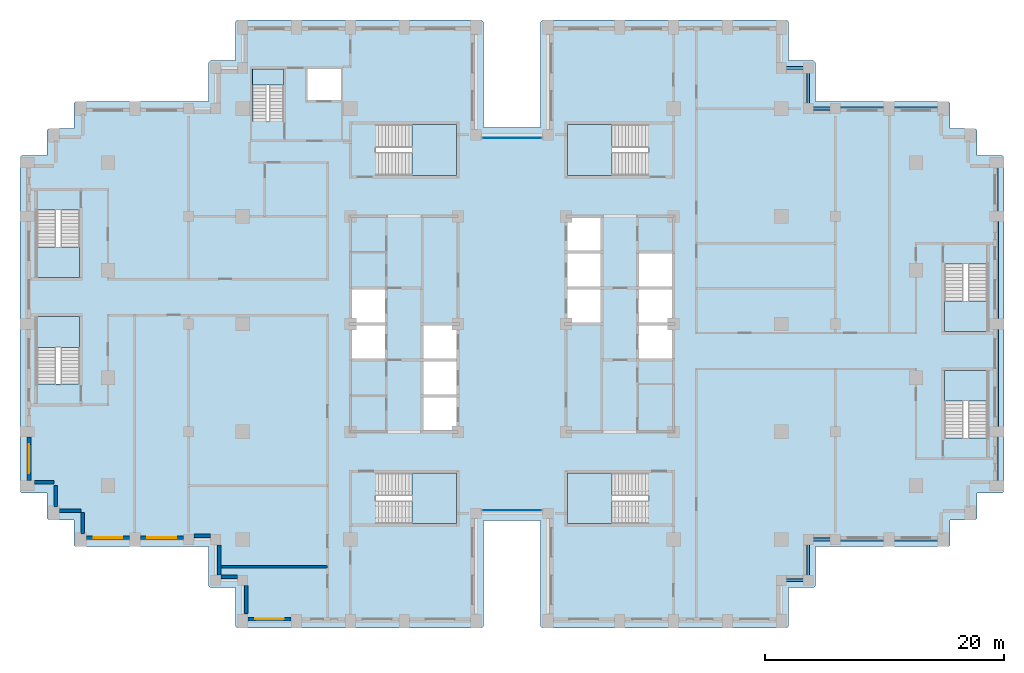
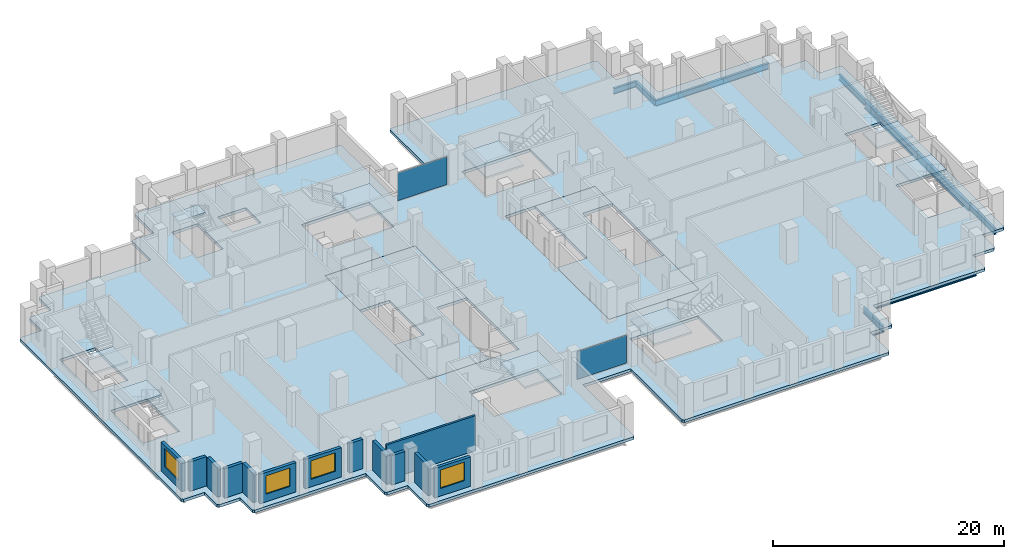
# One storey, part 5 of 15: 14 beams, 13 walls, 12 slabs, 4 windows, 2 plates, 4 openings, 11 elements without a shape of their own.
"""IFC4 building model written with IfcOpenShell, lengths in metres."""

from ifc_helpers import new_model, si_unit, direction, frame, frame_2d, origin, origin_2d, place, context, subcontext, project, spatial, polyline, rectangle, i_section, outline, extrude, material, layer, layer_set, material_profile, profile_set, type_object, element, fill, aggregate, save


model = new_model("IFC4")

# Units and contexts
model_context = context("Model", 3, precision=1e-05, world=origin(), true_north=direction((0.0, 1.0)))
body_context = subcontext(model_context, "Body", "Model", "MODEL_VIEW")
ifc_project = project(units=[si_unit("LENGTHUNIT", "METRE"), si_unit("AREAUNIT", "SQUARE_METRE"), si_unit("VOLUMEUNIT", "CUBIC_METRE"), si_unit("PLANEANGLEUNIT", "RADIAN"), si_unit("MASSUNIT", "GRAM", prefix="KILO")], contexts=[model_context])

# Site, building, storey
site_placement = place(None, origin())
site = spatial("IfcSite", under=ifc_project, at=site_placement, CompositionType="ELEMENT")
building_placement = place(site_placement, origin())
building = spatial("IfcBuilding", under=site, at=building_placement, Name="Corbelhall Arena Tower", CompositionType="ELEMENT")
storey_placement = place(building_placement, frame((0.0, 0.0, 88.0)))
storey = spatial("IfcBuildingStorey", under=building, at=storey_placement, Name="L14", CompositionType="ELEMENT", Elevation=88.0)

# Beams
ifc_material_1 = material(Name="Steel ASTM A992 Gr50", Category="steel")
ifc_material_profile_1 = material_profile(ifc_material_1, i_section(OverallWidth=0.23046875, OverallDepth=0.6171875, WebThickness=0.01318359375, FlangeThickness=0.022216796875, at=origin_2d()))
ifc_profile_set_1 = profile_set([ifc_material_profile_1], Name="Steel ASTM A992 Gr50")
beam_type_1 = type_object("IfcBeamType", Name="ST-SPANDREL-W24x94", PredefinedType="SPANDREL", material=ifc_profile_set_1)
for number, where, z_axis, x_axis, name in (
    (1, (40.5, 13.5, -0.608642578125), (0.0, -1.0, 0.0), (1.0, 0.0, 0.0), "Beam SP 10"),
    (2, (40.5, -9.0, -0.608642578125), (0.0, -1.0, 0.0), (1.0, 0.0, 0.0), "Beam SP 11"),
    (3, (31.5, 18.0, -0.608642578125), (1.0, 0.0, 0.0), (0.0, 1.0, 0.0), "Beam SP 12"),
    (4, (31.5, -18.0, -0.608642578125), (-1.0, 0.0, 0.0), (0.0, -1.0, 0.0), "Beam SP 13"),
    (5, (36.0, -18.0, -0.608642578125), (-1.0, 0.0, 0.0), (0.0, -1.0, 0.0), "Beam SP 14"),
    (6, (27.0, 18.0, -0.608642578125), (1.0, 0.0, 0.0), (0.0, 1.0, 0.0), "Beam SP 15"),
):
    element("IfcBeam", number, at=place(storey_placement, frame(where, z_axis=z_axis, x_axis=x_axis)), inside=storey, type_object=beam_type_1, Name=name, PredefinedType="SPANDREL", context=body_context, shape_type="SweptSolid", body=[
        extrude(i_section(OverallWidth=0.23046875, OverallDepth=0.6171875, WebThickness=0.01318359375, FlangeThickness=0.022216796875, at=origin_2d()), origin(), (0.0, 0.0, 1.0), 4.5),
    ])
for number, where, z_axis, x_axis, name in (
    (7, (27.0, -18.0, -0.608642578125), (-1.0, 0.0, 0.0), (0.0, -1.0, 0.0), "Beam SP 16"),
    (8, (22.5, 21.39990234375, -0.608642578125), (1.0, 0.0, 0.0), (0.0, 1.0, 0.0), "Beam SP 43"),
):
    element("IfcBeam", number, at=place(storey_placement, frame(where, z_axis=z_axis, x_axis=x_axis)), inside=storey, type_object=beam_type_1, Name=name, PredefinedType="SPANDREL", context=body_context, shape_type="SweptSolid", body=[
        extrude(i_section(OverallWidth=0.23046875, OverallDepth=0.6171875, WebThickness=0.01318359375, FlangeThickness=0.022216796875, at=origin_2d()), origin(), (0.0, 0.0, 1.0), 2.25),
    ])
beam_1_placement = place(storey_placement, frame((24.75, 21.39990234375, -0.608642578125), z_axis=(0.0, -1.0, 0.0), x_axis=(1.0, 0.0, 0.0)))
element("IfcBeam", 9, at=beam_1_placement, inside=storey, type_object=beam_type_1, Name="Beam SP 44", PredefinedType="SPANDREL", context=body_context, shape_type="SweptSolid", body=[
    extrude(i_section(OverallWidth=0.23046875, OverallDepth=0.6171875, WebThickness=0.01318359375, FlangeThickness=0.022216796875, at=origin_2d()), origin(), (0.0, 0.0, 1.0), 3.39990234375),
])
for number, where, z_axis, x_axis, name in (
    (10, (24.75, 18.0, -0.608642578125), (1.0, 0.0, 0.0), (0.0, 1.0, 0.0), "Beam SP 45"),
    (11, (24.75, -21.39990234375, -0.608642578125), (-1.0, 0.0, 0.0), (0.0, -1.0, 0.0), "Beam SP 50"),
):
    element("IfcBeam", number, at=place(storey_placement, frame(where, z_axis=z_axis, x_axis=x_axis)), inside=storey, type_object=beam_type_1, Name=name, PredefinedType="SPANDREL", context=body_context, shape_type="SweptSolid", body=[
        extrude(i_section(OverallWidth=0.23046875, OverallDepth=0.6171875, WebThickness=0.01318359375, FlangeThickness=0.022216796875, at=origin_2d()), origin(), (0.0, 0.0, 1.0), 2.25),
    ])
beam_2_placement = place(storey_placement, frame((24.75, -18.0, -0.608642578125), z_axis=(0.0, -1.0, 0.0), x_axis=(1.0, 0.0, 0.0)))
element("IfcBeam", 12, at=beam_2_placement, inside=storey, type_object=beam_type_1, Name="Beam SP 51", PredefinedType="SPANDREL", context=body_context, shape_type="SweptSolid", body=[
    extrude(i_section(OverallWidth=0.23046875, OverallDepth=0.6171875, WebThickness=0.01318359375, FlangeThickness=0.022216796875, at=origin_2d()), origin(), (0.0, 0.0, 1.0), 3.39990234375),
])
ifc_material_profile_2 = material_profile(ifc_material_1, i_section(OverallWidth=0.2919921875, OverallDepth=0.845703125, WebThickness=0.015380859375, FlangeThickness=0.0244140625, at=origin_2d()))
ifc_profile_set_2 = profile_set([ifc_material_profile_2], Name="Steel ASTM A992 Gr50")
beam_type_2 = type_object("IfcBeamType", Name="ST-SPANDREL-W33x141", PredefinedType="SPANDREL", material=ifc_profile_set_2)
for number, where, z_axis, x_axis, name in (
    (13, (40.5, 0.0, -0.722900390625), (0.0, -1.0, 0.0), (1.0, 0.0, 0.0), "Beam SP 8"),
    (14, (40.5, 9.0, -0.722900390625), (0.0, -1.0, 0.0), (1.0, 0.0, 0.0), "Beam SP 9"),
):
    element("IfcBeam", number, at=place(storey_placement, frame(where, z_axis=z_axis, x_axis=x_axis)), inside=storey, type_object=beam_type_2, Name=name, PredefinedType="SPANDREL", context=body_context, shape_type="SweptSolid", body=[
        extrude(i_section(OverallWidth=0.2919921875, OverallDepth=0.845703125, WebThickness=0.015380859375, FlangeThickness=0.0244140625, at=origin_2d()), origin(), (0.0, 0.0, 1.0), 9.0),
    ])

# Curtain wall, plate
ifc_material_2 = material(Name="Aluminium black anodised", Category="aluminium")
ifc_layer_1 = layer(ifc_material_2, 0.199951171875)
ifc_layer_set_1 = layer_set([ifc_layer_1], Name="EV-CW1 Slot back wall")
curtain_wall_type = type_object("IfcCurtainWallType", Name="EV-CW1 Slot back wall", PredefinedType="NOTDEFINED", material=ifc_layer_set_1)
curtain_wall_1_placement = place(storey_placement, origin())
curtain_wall_1 = element("IfcCurtainWall", 15, at=curtain_wall_1_placement, inside=storey, type_object=curtain_wall_type, Name="Curtain wall CW1", PredefinedType="NOTDEFINED")
ifc_material_3 = material(Name="Glass dark tinted laminated", Category="glass")
ifc_layer_2 = layer(ifc_material_3, 0.028076171875)
ifc_layer_set_2 = layer_set([ifc_layer_2], Name="EV-CW1-PANEL")
plate_type = type_object("IfcPlateType", Name="EV-CW1-PANEL", PredefinedType="CURTAIN_PANEL", material=ifc_layer_set_2)
plate_1_placement = place(storey_placement, frame((0.0, -15.550048828125, 0.0751953125), z_axis=(0.0, 0.0, 1.0), x_axis=(1.0, 0.0, 0.0)))
plate_1 = element("IfcPlate", 16, at=plate_1_placement, type_object=plate_type, Name="CW1 panel 1.1", PredefinedType="CURTAIN_PANEL", context=body_context, shape_type="SweptSolid", body=[
    extrude(rectangle(XDim=4.949951171875, YDim=0.028076171875, at=origin_2d()), origin(), (0.0, 0.0, 1.0), 2.949951171875),
])
aggregate(curtain_wall_1, [plate_1])

curtain_wall_2_placement = place(storey_placement, origin())
curtain_wall_2 = element("IfcCurtainWall", 17, at=curtain_wall_2_placement, inside=storey, type_object=curtain_wall_type, Name="Curtain wall CW1", PredefinedType="NOTDEFINED")
plate_2_placement = place(storey_placement, frame((0.0, 15.550048828125, 0.0751953125), z_axis=(0.0, 0.0, 1.0), x_axis=(-1.0, 0.0, 0.0)))
plate_2 = element("IfcPlate", 18, at=plate_2_placement, type_object=plate_type, Name="CW1 panel 1.1", PredefinedType="CURTAIN_PANEL", context=body_context, shape_type="SweptSolid", body=[
    extrude(rectangle(XDim=4.949951171875, YDim=0.028076171875, at=origin_2d()), origin(), (0.0, 0.0, 1.0), 2.949951171875),
])
aggregate(curtain_wall_2, [plate_2])

# Slabs
ifc_material_4 = material(Name="Concrete C40/50", Category="concrete")
ifc_layer_3 = layer(ifc_material_4, 0.300048828125)
ifc_layer_set_3 = layer_set([ifc_layer_3], Name="IN-SL-CORE")
slab_type_1 = type_object("IfcSlabType", Name="IN-SL-CORE", PredefinedType="FLOOR", material=ifc_layer_set_3)
slab_1_placement = place(storey_placement, frame((0.0, 0.0, -0.300048828125)))
element("IfcSlab", 19, at=slab_1_placement, inside=storey, type_object=slab_type_1, Name="Core floor W", PredefinedType="FLOOR", context=body_context, shape_type="SweptSolid", body=[
    extrude(outline(polyline([(-7.5, 0.0), (-4.5, 0.0), (-4.5, 9.0), (-13.5, 9.0), (-13.5, 3.0), (-10.5, 3.0), (-10.5, 0.0), (-10.5, -3.0), (-13.5, -3.0), (-13.5, -9.0), (-7.5, -9.0), (-7.5, -6.0), (-7.5, -3.0), (-7.5, 0.0)])), origin(), (0.0, 0.0, 1.0), 0.300048828125),
])
slab_2_placement = place(storey_placement, frame((0.0, 0.0, -0.300048828125)))
element("IfcSlab", 20, at=slab_2_placement, inside=storey, type_object=slab_type_1, Name="Core floor E", PredefinedType="FLOOR", context=body_context, shape_type="SweptSolid", body=[
    extrude(outline(polyline([(7.5, 0.0), (4.5, 0.0), (4.5, -9.0), (13.5, -9.0), (13.5, -3.0), (10.5, -3.0), (10.5, 0.0), (10.5, 3.0), (10.5, 6.0), (13.5, 6.0), (13.5, 9.0), (7.5, 9.0), (7.5, 6.0), (7.5, 3.0), (7.5, 0.0)])), origin(), (0.0, 0.0, 1.0), 0.300048828125),
])

# Stair, slab
stair_type = type_object("IfcStairType", Name="IN-ST-TOWER", PredefinedType="HALF_TURN_STAIR", material=ifc_material_4)
stair_1_placement = place(storey_placement, origin())
stair_1 = element("IfcStair", 21, at=stair_1_placement, inside=storey, type_object=stair_type, Name="L14 Exit stair ST1", PredefinedType="HALF_TURN_STAIR")
ifc_layer_4 = layer(ifc_material_4, 0.199951171875)
ifc_layer_set_4 = layer_set([ifc_layer_4], Name="IN-SL-LANDING")
slab_type_2 = type_object("IfcSlabType", Name="IN-SL-LANDING", PredefinedType="LANDING", material=ifc_layer_set_4)
slab_3_placement = place(storey_placement, frame((0.0, 0.0, 1.800048828125)))
slab_3 = element("IfcSlab", 22, at=slab_3_placement, type_object=slab_type_2, Name="ST1 landing 1", PredefinedType="LANDING", context=body_context, shape_type="SweptSolid", body=[
    extrude(outline(polyline([(-8.344970703125, 12.425048828125), (-4.625, 12.425048828125), (-4.625, 16.675048828125), (-8.344970703125, 16.675048828125), (-8.344970703125, 12.425048828125)])), origin(), (0.0, 0.0, 1.0), 0.199951171875),
])
aggregate(stair_1, [slab_3])

stair_2_placement = place(storey_placement, origin())
stair_2 = element("IfcStair", 23, at=stair_2_placement, inside=storey, type_object=stair_type, Name="L14 Exit stair ST2", PredefinedType="HALF_TURN_STAIR")
slab_4_placement = place(storey_placement, frame((0.0, 0.0, 1.800048828125)))
slab_4 = element("IfcSlab", 24, at=slab_4_placement, type_object=slab_type_2, Name="ST2 landing 1", PredefinedType="LANDING", context=body_context, shape_type="SweptSolid", body=[
    extrude(outline(polyline([(-8.344970703125, -16.675048828125), (-4.625, -16.675048828125), (-4.625, -12.425048828125), (-8.344970703125, -12.425048828125), (-8.344970703125, -16.675048828125)])), origin(), (0.0, 0.0, 1.0), 0.199951171875),
])
aggregate(stair_2, [slab_4])

stair_3_placement = place(storey_placement, origin())
stair_3 = element("IfcStair", 25, at=stair_3_placement, inside=storey, type_object=stair_type, Name="L14 Exit stair ST3", PredefinedType="HALF_TURN_STAIR")
slab_5_placement = place(storey_placement, frame((0.0, 0.0, 1.800048828125)))
slab_5 = element("IfcSlab", 26, at=slab_5_placement, type_object=slab_type_2, Name="ST3 landing 1", PredefinedType="LANDING", context=body_context, shape_type="SweptSolid", body=[
    extrude(outline(polyline([(8.344970703125, 16.675048828125), (4.625, 16.675048828125), (4.625, 12.425048828125), (8.344970703125, 12.425048828125), (8.344970703125, 16.675048828125)])), origin(), (0.0, 0.0, 1.0), 0.199951171875),
])
aggregate(stair_3, [slab_5])

stair_4_placement = place(storey_placement, origin())
stair_4 = element("IfcStair", 27, at=stair_4_placement, inside=storey, type_object=stair_type, Name="L14 Exit stair ST4", PredefinedType="HALF_TURN_STAIR")
slab_6_placement = place(storey_placement, frame((0.0, 0.0, 1.800048828125)))
slab_6 = element("IfcSlab", 28, at=slab_6_placement, type_object=slab_type_2, Name="ST4 landing 1", PredefinedType="LANDING", context=body_context, shape_type="SweptSolid", body=[
    extrude(outline(polyline([(8.344970703125, -12.425048828125), (4.625, -12.425048828125), (4.625, -16.675048828125), (8.344970703125, -16.675048828125), (8.344970703125, -12.425048828125)])), origin(), (0.0, 0.0, 1.0), 0.199951171875),
])
aggregate(stair_4, [slab_6])

stair_5_placement = place(storey_placement, origin())
stair_5 = element("IfcStair", 29, at=stair_5_placement, inside=storey, type_object=stair_type, Name="L14 Exit stair SC1", PredefinedType="HALF_TURN_STAIR")
slab_7_placement = place(storey_placement, frame((0.0, 0.0, 1.800048828125)))
slab_7 = element("IfcSlab", 30, at=slab_7_placement, type_object=slab_type_2, Name="SC1 landing 1", PredefinedType="LANDING", context=body_context, shape_type="SweptSolid", body=[
    extrude(outline(polyline([(-39.699951171875, 6.445068359375), (-39.699951171875, 3.875), (-36.125, 3.875), (-36.125, 6.445068359375), (-39.699951171875, 6.445068359375)])), origin(), (0.0, 0.0, 1.0), 0.199951171875),
])
aggregate(stair_5, [slab_7])

stair_6_placement = place(storey_placement, origin())
stair_6 = element("IfcStair", 31, at=stair_6_placement, inside=storey, type_object=stair_type, Name="L14 Exit stair SC2", PredefinedType="HALF_TURN_STAIR")
slab_8_placement = place(storey_placement, frame((0.0, 0.0, 1.800048828125)))
slab_8 = element("IfcSlab", 32, at=slab_8_placement, type_object=slab_type_2, Name="SC2 landing 1", PredefinedType="LANDING", context=body_context, shape_type="SweptSolid", body=[
    extrude(outline(polyline([(-36.125, -1.945068359375), (-36.125, 0.625), (-39.699951171875, 0.625), (-39.699951171875, -1.945068359375), (-36.125, -1.945068359375)])), origin(), (0.0, 0.0, 1.0), 0.199951171875),
])
aggregate(stair_6, [slab_8])

stair_7_placement = place(storey_placement, origin())
stair_7 = element("IfcStair", 33, at=stair_7_placement, inside=storey, type_object=stair_type, Name="L14 Exit stair SD1", PredefinedType="HALF_TURN_STAIR")
slab_9_placement = place(storey_placement, frame((0.0, 0.0, 1.800048828125)))
slab_9 = element("IfcSlab", 34, at=slab_9_placement, type_object=slab_type_2, Name="SD1 landing 1", PredefinedType="LANDING", context=body_context, shape_type="SweptSolid", body=[
    extrude(outline(polyline([(39.699951171875, -6.445068359375), (39.699951171875, -3.875), (36.125, -3.875), (36.125, -6.445068359375), (39.699951171875, -6.445068359375)])), origin(), (0.0, 0.0, 1.0), 0.199951171875),
])
aggregate(stair_7, [slab_9])

stair_8_placement = place(storey_placement, origin())
stair_8 = element("IfcStair", 35, at=stair_8_placement, inside=storey, type_object=stair_type, Name="L14 Exit stair SD2", PredefinedType="HALF_TURN_STAIR")
slab_10_placement = place(storey_placement, frame((0.0, 0.0, 1.800048828125)))
slab_10 = element("IfcSlab", 36, at=slab_10_placement, type_object=slab_type_2, Name="SD2 landing 1", PredefinedType="LANDING", context=body_context, shape_type="SweptSolid", body=[
    extrude(outline(polyline([(36.125, 1.945068359375), (36.125, -0.625), (39.699951171875, -0.625), (39.699951171875, 1.945068359375), (36.125, 1.945068359375)])), origin(), (0.0, 0.0, 1.0), 0.199951171875),
])
aggregate(stair_8, [slab_10])

stair_9_placement = place(storey_placement, origin())
stair_9 = element("IfcStair", 37, at=stair_9_placement, inside=storey, type_object=stair_type, Name="L14 Exit stair ST5", PredefinedType="HALF_TURN_STAIR")
slab_11_placement = place(storey_placement, frame((0.0, 0.0, 1.800048828125)))
slab_11 = element("IfcSlab", 38, at=slab_11_placement, type_object=slab_type_2, Name="ST5 landing 1", PredefinedType="LANDING", context=body_context, shape_type="SweptSolid", body=[
    extrude(outline(polyline([(-19.094970703125, 19.97998046875), (-19.094970703125, 21.300048828125), (-21.695068359375, 21.300048828125), (-21.695068359375, 19.97998046875), (-19.094970703125, 19.97998046875)])), origin(), (0.0, 0.0, 1.0), 0.199951171875),
])
aggregate(stair_9, [slab_11])

# Slab
ifc_layer_5 = layer(ifc_material_4, 0.300048828125)
ifc_layer_set_5 = layer_set([ifc_layer_5], Name="ST-SLAB-FLOOR-300")
slab_type_3 = type_object("IfcSlabType", Name="ST-SLAB-FLOOR-300", PredefinedType="FLOOR", material=ifc_layer_set_5)
slab_12_placement = place(storey_placement, frame((0.0, 0.0, -0.300048828125)))
element("IfcSlab", 39, at=slab_12_placement, inside=storey, type_object=slab_type_3, Name="Floor slab L14 1", PredefinedType="FLOOR", context=body_context, shape_type="SweptSolid", body=[
    extrude(outline(polyline([(25.35009765625, 18.60009765625), (25.35009765625, 21.85009765625), (25.199951171875, 22.0), (23.10009765625, 22.0), (23.10009765625, 25.25), (22.949951171875, 25.39990234375), (2.550048828125, 25.39990234375), (2.39990234375, 25.25), (2.39990234375, 16.39990234375), (-2.39990234375, 16.39990234375), (-2.39990234375, 25.25), (-2.550048828125, 25.39990234375), (-22.949951171875, 25.39990234375), (-23.10009765625, 25.25), (-23.10009765625, 22.0), (-25.199951171875, 22.0), (-25.35009765625, 21.85009765625), (-25.35009765625, 18.60009765625), (-36.449951171875, 18.60009765625), (-36.60009765625, 18.449951171875), (-36.60009765625, 16.35009765625), (-38.699951171875, 16.35009765625), (-38.85009765625, 16.199951171875), (-38.85009765625, 14.10009765625), (-40.949951171875, 14.10009765625), (-41.10009765625, 13.949951171875), (-41.10009765625, -13.949951171875), (-40.949951171875, -14.10009765625), (-38.85009765625, -14.10009765625), (-38.85009765625, -16.199951171875), (-38.699951171875, -16.35009765625), (-36.60009765625, -16.35009765625), (-36.60009765625, -18.449951171875), (-36.449951171875, -18.60009765625), (-25.35009765625, -18.60009765625), (-25.35009765625, -21.85009765625), (-25.199951171875, -22.0), (-23.10009765625, -22.0), (-23.10009765625, -25.25), (-22.949951171875, -25.39990234375), (-2.550048828125, -25.39990234375), (-2.39990234375, -25.25), (-2.39990234375, -16.39990234375), (2.39990234375, -16.39990234375), (2.39990234375, -25.25), (2.550048828125, -25.39990234375), (22.949951171875, -25.39990234375), (23.10009765625, -25.25), (23.10009765625, -22.0), (25.199951171875, -22.0), (25.35009765625, -21.85009765625), (25.35009765625, -18.60009765625), (36.449951171875, -18.60009765625), (36.60009765625, -18.449951171875), (36.60009765625, -16.35009765625), (38.699951171875, -16.35009765625), (38.85009765625, -16.199951171875), (38.85009765625, -14.10009765625), (40.949951171875, -14.10009765625), (41.10009765625, -13.949951171875), (41.10009765625, 13.949951171875), (40.949951171875, 14.10009765625), (38.85009765625, 14.10009765625), (38.85009765625, 16.199951171875), (38.699951171875, 16.35009765625), (36.60009765625, 16.35009765625), (36.60009765625, 18.449951171875), (36.449951171875, 18.60009765625), (25.35009765625, 18.60009765625)]), holes=[polyline([(-13.5, 9.0), (-13.5, -9.0), (-4.5, -9.0), (-4.5, 9.0), (-13.5, 9.0)]), polyline([(4.5, 9.0), (4.5, -9.0), (13.5, -9.0), (13.5, 9.0), (4.5, 9.0)]), polyline([(-4.625, 16.675048828125), (-11.422119140625, 16.675048828125), (-11.422119140625, 12.425048828125), (-4.625, 12.425048828125), (-4.625, 16.675048828125)]), polyline([(-4.625, -16.675048828125), (-4.625, -12.425048828125), (-11.422119140625, -12.425048828125), (-11.422119140625, -16.675048828125), (-4.625, -16.675048828125)]), polyline([(11.422119140625, 16.675048828125), (4.625, 16.675048828125), (4.625, 12.425048828125), (11.422119140625, 12.425048828125), (11.422119140625, 16.675048828125)]), polyline([(11.422119140625, -16.675048828125), (11.422119140625, -12.425048828125), (4.625, -12.425048828125), (4.625, -16.675048828125), (11.422119140625, -16.675048828125)]), polyline([(-36.125, 3.875), (-36.125, 9.52197265625), (-39.699951171875, 9.52197265625), (-39.699951171875, 3.875), (-36.125, 3.875)]), polyline([(-36.125, 0.625), (-39.699951171875, 0.625), (-39.699951171875, -5.02197265625), (-36.125, -5.02197265625), (-36.125, 0.625)]), polyline([(39.699951171875, -9.52197265625), (39.699951171875, -3.875), (36.125, -3.875), (36.125, -9.52197265625), (39.699951171875, -9.52197265625)]), polyline([(39.699951171875, 5.02197265625), (36.125, 5.02197265625), (36.125, -0.625), (39.699951171875, -0.625), (39.699951171875, 5.02197265625)]), polyline([(-21.695068359375, 21.300048828125), (-21.695068359375, 16.903076171875), (-19.094970703125, 16.903076171875), (-19.094970703125, 21.300048828125), (-21.695068359375, 21.300048828125)]), polyline([(-14.300048828125, 21.300048828125), (-17.10009765625, 21.300048828125), (-17.10009765625, 18.699951171875), (-14.300048828125, 18.699951171875), (-14.300048828125, 21.300048828125)])]), origin(), (0.0, 0.0, 1.0), 0.300048828125),
])

# Walls
ifc_material_5 = material(Name="Precast concrete C40/50 with granite facing", Category="masonry")
ifc_layer_6 = layer(ifc_material_5, 0.300048828125)
ifc_layer_set_6 = layer_set([ifc_layer_6], Name="EV-IW1 Infill panel 300")
wall_type_1 = type_object("IfcWallType", Name="EV-IW1 Infill panel 300", PredefinedType="SOLIDWALL", material=ifc_layer_set_6)
wall_1_placement = place(storey_placement, frame((-39.89990234375, -13.199951171875, 0.0), z_axis=(0.0, 0.0, 1.0), x_axis=(1.0, 0.0, 0.0)))
element("IfcWall", 40, at=wall_1_placement, inside=storey, type_object=wall_type_1, Name="Infill panel IW1", PredefinedType="SOLIDWALL", context=body_context, shape_type="SweptSolid", body=[
    extrude(rectangle(XDim=1.64990234375, YDim=0.300048828125, at=frame_2d((0.824951171875, 0.0))), origin(), (0.0, 0.0, 1.0), 3.10009765625),
])
for number, where, z_axis, x_axis, name in (
    (41, (-38.10009765625, -15.300048828125, 0.0), (0.0, 0.0, 1.0), (0.0, 1.0, 0.0), "Infill panel IW1"),
    (42, (-37.800048828125, -15.60009765625, 0.0), (0.0, 0.0, 1.0), (1.0, 0.0, 0.0), "Infill panel IW1"),
    (43, (-35.85009765625, -17.550048828125, 0.0), (0.0, 0.0, 1.0), (0.0, 1.0, 0.0), "Infill panel IW1"),
):
    element("IfcWall", number, at=place(storey_placement, frame(where, z_axis=z_axis, x_axis=x_axis)), inside=storey, type_object=wall_type_1, Name=name, PredefinedType="SOLIDWALL", context=body_context, shape_type="SweptSolid", body=[
        extrude(rectangle(XDim=1.800048828125, YDim=0.300048828125, at=frame_2d((0.89990234375, 0.0))), origin(), (0.0, 0.0, 1.0), 3.10009765625),
    ])

# Wall, opening, window
wall_2_placement = place(storey_placement, frame((-40.35009765625, -9.449951171875, 0.0), z_axis=(0.0, 0.0, 1.0), x_axis=(0.0, -1.0, 0.0)))
wall_2 = element("IfcWall", 44, at=wall_2_placement, inside=storey, type_object=wall_type_1, Name="Infill panel IW1", PredefinedType="SOLIDWALL", context=body_context, shape_type="SweptSolid", body=[
    extrude(rectangle(XDim=3.60009765625, YDim=0.300048828125, at=frame_2d((1.800048828125, 0.0))), origin(), (0.0, 0.0, 1.0), 3.10009765625),
])
opening_1_placement = place(wall_2_placement, frame((0.60009765625, 0.0, 0.800048828125)))
opening_1 = element("IfcOpeningElement", 45, at=opening_1_placement, cuts=wall_2, Name="Opening WN1", PredefinedType="OPENING", context=body_context, shape_type="SweptSolid", body=[
    extrude(rectangle(XDim=2.39990234375, YDim=1.949951171875, at=frame_2d((1.199951171875, 0.97509765625))), frame((0.0, 0.14990234375, 0.0), z_axis=(0.0, -1.0, 0.0), x_axis=(1.0, 0.0, 0.0)), (0.0, 0.0, 1.0), 0.300048828125),
])
window_type = type_object("IfcWindowType", Name="EV-WN1 Office window", PartitioningType="SINGLE_PANEL", PredefinedType="WINDOW", material=ifc_material_2)
window_1_placement = place(opening_1_placement, origin())
window_1 = element("IfcWindow", 46, at=window_1_placement, inside=storey, type_object=window_type, Name="Window WN1", OverallHeight=1.949951171875, OverallWidth=2.39990234375, PartitioningType="SINGLE_PANEL", PredefinedType="WINDOW", context=body_context, shape_type="SweptSolid", body=[
    extrude(rectangle(XDim=2.39990234375, YDim=1.949951171875, at=frame_2d((1.199951171875, 0.97509765625))), frame((0.0, 0.030029296875, 0.0), z_axis=(0.0, -1.0, 0.0), x_axis=(1.0, 0.0, 0.0)), (0.0, 0.0, 1.0), 0.06005859375),
])
fill(opening_1, window_1)

wall_3_placement = place(storey_placement, frame((-35.550048828125, -17.85009765625, 0.0), z_axis=(0.0, 0.0, 1.0), x_axis=(1.0, 0.0, 0.0)))
wall_3 = element("IfcWall", 47, at=wall_3_placement, inside=storey, type_object=wall_type_1, Name="Infill panel IW1", PredefinedType="SOLIDWALL", context=body_context, shape_type="SweptSolid", body=[
    extrude(rectangle(XDim=3.60009765625, YDim=0.300048828125, at=frame_2d((1.800048828125, 0.0))), origin(), (0.0, 0.0, 1.0), 3.10009765625),
])
opening_2_placement = place(wall_3_placement, frame((0.60009765625, 0.0, 0.800048828125)))
opening_2 = element("IfcOpeningElement", 48, at=opening_2_placement, cuts=wall_3, Name="Opening WN1", PredefinedType="OPENING", context=body_context, shape_type="SweptSolid", body=[
    extrude(rectangle(XDim=2.39990234375, YDim=1.949951171875, at=frame_2d((1.199951171875, 0.97509765625))), frame((0.0, 0.14990234375, 0.0), z_axis=(0.0, -1.0, 0.0), x_axis=(1.0, 0.0, 0.0)), (0.0, 0.0, 1.0), 0.300048828125),
])
window_2_placement = place(opening_2_placement, origin())
window_2 = element("IfcWindow", 49, at=window_2_placement, inside=storey, type_object=window_type, Name="Window WN1", OverallHeight=1.949951171875, OverallWidth=2.39990234375, PartitioningType="SINGLE_PANEL", PredefinedType="WINDOW", context=body_context, shape_type="SweptSolid", body=[
    extrude(rectangle(XDim=2.39990234375, YDim=1.949951171875, at=frame_2d((1.199951171875, 0.97509765625))), frame((0.0, 0.030029296875, 0.0), z_axis=(0.0, -1.0, 0.0), x_axis=(1.0, 0.0, 0.0)), (0.0, 0.0, 1.0), 0.06005859375),
])
fill(opening_2, window_2)

wall_4_placement = place(storey_placement, frame((-31.050048828125, -17.85009765625, 0.0), z_axis=(0.0, 0.0, 1.0), x_axis=(1.0, 0.0, 0.0)))
wall_4 = element("IfcWall", 50, at=wall_4_placement, inside=storey, type_object=wall_type_1, Name="Infill panel IW1", PredefinedType="SOLIDWALL", context=body_context, shape_type="SweptSolid", body=[
    extrude(rectangle(XDim=3.60009765625, YDim=0.300048828125, at=frame_2d((1.800048828125, 0.0))), origin(), (0.0, 0.0, 1.0), 3.10009765625),
])
opening_3_placement = place(wall_4_placement, frame((0.60009765625, 0.0, 0.800048828125)))
opening_3 = element("IfcOpeningElement", 51, at=opening_3_placement, cuts=wall_4, Name="Opening WN1", PredefinedType="OPENING", context=body_context, shape_type="SweptSolid", body=[
    extrude(rectangle(XDim=2.39990234375, YDim=1.949951171875, at=frame_2d((1.199951171875, 0.97509765625))), frame((0.0, 0.14990234375, 0.0), z_axis=(0.0, -1.0, 0.0), x_axis=(1.0, 0.0, 0.0)), (0.0, 0.0, 1.0), 0.300048828125),
])
window_3_placement = place(opening_3_placement, origin())
window_3 = element("IfcWindow", 52, at=window_3_placement, inside=storey, type_object=window_type, Name="Window WN1", OverallHeight=1.949951171875, OverallWidth=2.39990234375, PartitioningType="SINGLE_PANEL", PredefinedType="WINDOW", context=body_context, shape_type="SweptSolid", body=[
    extrude(rectangle(XDim=2.39990234375, YDim=1.949951171875, at=frame_2d((1.199951171875, 0.97509765625))), frame((0.0, 0.030029296875, 0.0), z_axis=(0.0, -1.0, 0.0), x_axis=(1.0, 0.0, 0.0)), (0.0, 0.0, 1.0), 0.06005859375),
])
fill(opening_3, window_3)

# Walls
wall_5_placement = place(storey_placement, frame((-26.550048828125, -17.699951171875, 0.0), z_axis=(0.0, 0.0, 1.0), x_axis=(1.0, 0.0, 0.0)))
element("IfcWall", 53, at=wall_5_placement, inside=storey, type_object=wall_type_1, Name="Infill panel IW1", PredefinedType="SOLIDWALL", context=body_context, shape_type="SweptSolid", body=[
    extrude(rectangle(XDim=1.35009765625, YDim=0.300048828125, at=frame_2d((0.675048828125, 0.0))), origin(), (0.0, 0.0, 1.0), 3.10009765625),
])
wall_6_placement = place(storey_placement, frame((-24.449951171875, -18.449951171875, 0.0), z_axis=(0.0, 0.0, 1.0), x_axis=(0.0, -1.0, 0.0)))
element("IfcWall", 54, at=wall_6_placement, inside=storey, type_object=wall_type_1, Name="Infill panel IW1", PredefinedType="SOLIDWALL", context=body_context, shape_type="SweptSolid", body=[
    extrude(rectangle(XDim=2.5, YDim=0.300048828125, at=frame_2d((1.25, 0.0))), origin(), (0.0, 0.0, 1.0), 3.10009765625),
])
wall_7_placement = place(storey_placement, frame((-24.300048828125, -21.10009765625, 0.0), z_axis=(0.0, 0.0, 1.0), x_axis=(1.0, 0.0, 0.0)))
element("IfcWall", 55, at=wall_7_placement, inside=storey, type_object=wall_type_1, Name="Infill panel IW1", PredefinedType="SOLIDWALL", context=body_context, shape_type="SweptSolid", body=[
    extrude(rectangle(XDim=1.35009765625, YDim=0.300048828125, at=frame_2d((0.675048828125, 0.0))), origin(), (0.0, 0.0, 1.0), 3.10009765625),
])
wall_8_placement = place(storey_placement, frame((-22.199951171875, -21.85009765625, 0.0), z_axis=(0.0, 0.0, 1.0), x_axis=(0.0, -1.0, 0.0)))
element("IfcWall", 56, at=wall_8_placement, inside=storey, type_object=wall_type_1, Name="Infill panel IW1", PredefinedType="SOLIDWALL", context=body_context, shape_type="SweptSolid", body=[
    extrude(rectangle(XDim=2.349853515625, YDim=0.300048828125, at=frame_2d((1.1748046875, 0.0))), origin(), (0.0, 0.0, 1.0), 3.10009765625),
])

# Wall, opening, window
wall_9_placement = place(storey_placement, frame((-22.050048828125, -24.64990234375, 0.0), z_axis=(0.0, 0.0, 1.0), x_axis=(1.0, 0.0, 0.0)))
wall_9 = element("IfcWall", 57, at=wall_9_placement, inside=storey, type_object=wall_type_1, Name="Infill panel IW1", PredefinedType="SOLIDWALL", context=body_context, shape_type="SweptSolid", body=[
    extrude(rectangle(XDim=3.60009765625, YDim=0.300048828125, at=frame_2d((1.800048828125, 0.0))), origin(), (0.0, 0.0, 1.0), 3.10009765625),
])
opening_4_placement = place(wall_9_placement, frame((0.60009765625, 0.0, 0.800048828125)))
opening_4 = element("IfcOpeningElement", 58, at=opening_4_placement, cuts=wall_9, Name="Opening WN1", PredefinedType="OPENING", context=body_context, shape_type="SweptSolid", body=[
    extrude(rectangle(XDim=2.39990234375, YDim=1.949951171875, at=frame_2d((1.199951171875, 0.97509765625))), frame((0.0, 0.14990234375, 0.0), z_axis=(0.0, -1.0, 0.0), x_axis=(1.0, 0.0, 0.0)), (0.0, 0.0, 1.0), 0.300048828125),
])
window_4_placement = place(opening_4_placement, origin())
window_4 = element("IfcWindow", 59, at=window_4_placement, inside=storey, type_object=window_type, Name="Window WN1", OverallHeight=1.949951171875, OverallWidth=2.39990234375, PartitioningType="SINGLE_PANEL", PredefinedType="WINDOW", context=body_context, shape_type="SweptSolid", body=[
    extrude(rectangle(XDim=2.39990234375, YDim=1.949951171875, at=frame_2d((1.199951171875, 0.97509765625))), frame((0.0, 0.030029296875, 0.0), z_axis=(0.0, -1.0, 0.0), x_axis=(1.0, 0.0, 0.0)), (0.0, 0.0, 1.0), 0.06005859375),
])
fill(opening_4, window_4)

# Wall
ifc_material_6 = material(Name="Gypsum board on steel stud, acoustic", Category="steel")
ifc_layer_7 = layer(ifc_material_6, 0.199951171875)
ifc_layer_set_7 = layer_set([ifc_layer_7], Name="IN-W-DM200")
wall_type_2 = type_object("IfcWallType", Name="IN-W-DM200", PredefinedType="PARTITIONING", material=ifc_layer_set_7)
wall_10_placement = place(storey_placement, frame((-24.300048828125, -20.27490234375, 0.0), z_axis=(0.0, 0.0, 1.0), x_axis=(1.0, 0.0, 0.0)))
element("IfcWall", 60, at=wall_10_placement, inside=storey, type_object=wall_type_2, Name="Partition 012", PredefinedType="PARTITIONING", context=body_context, shape_type="SweptSolid", body=[
    extrude(rectangle(XDim=8.900146484375, YDim=0.199951171875, at=frame_2d((4.4501953125, 0.0))), origin(), (0.0, 0.0, 1.0), 3.699951171875),
])

save(model, "model.ifc")
